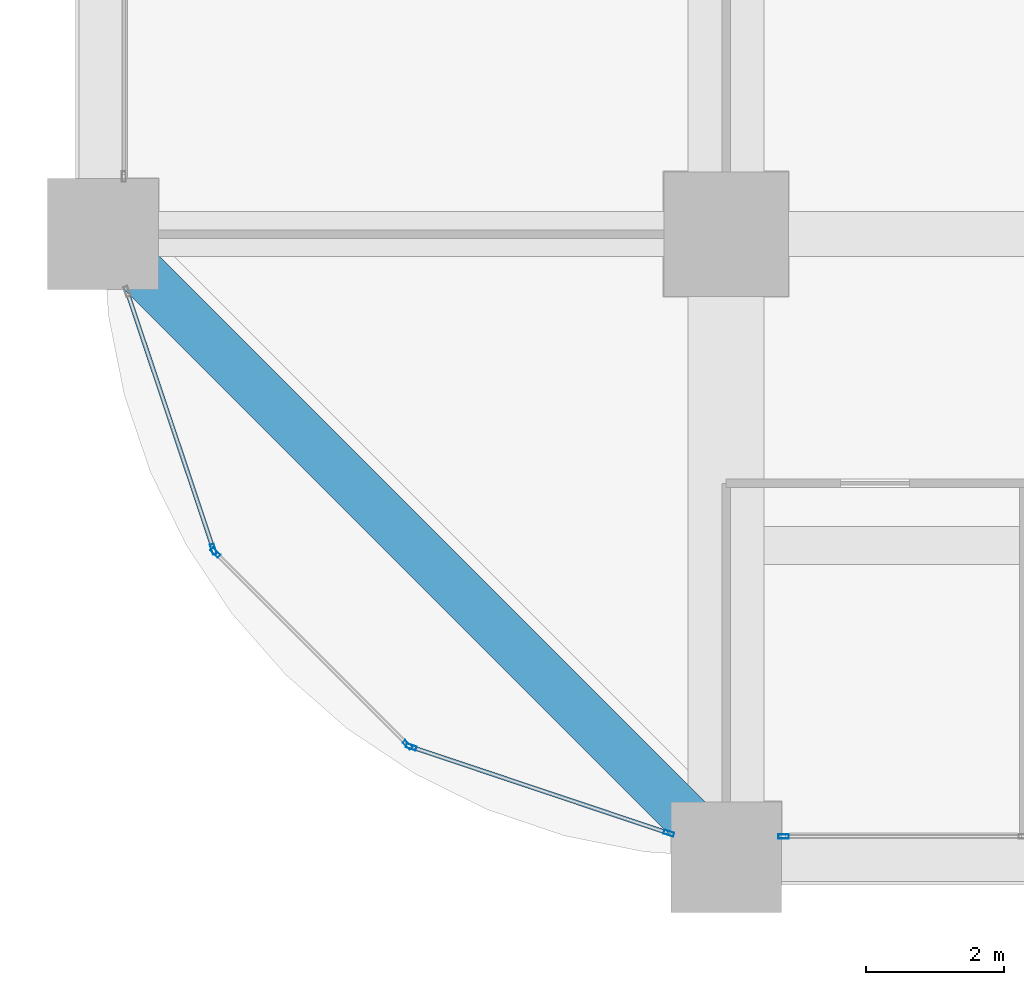
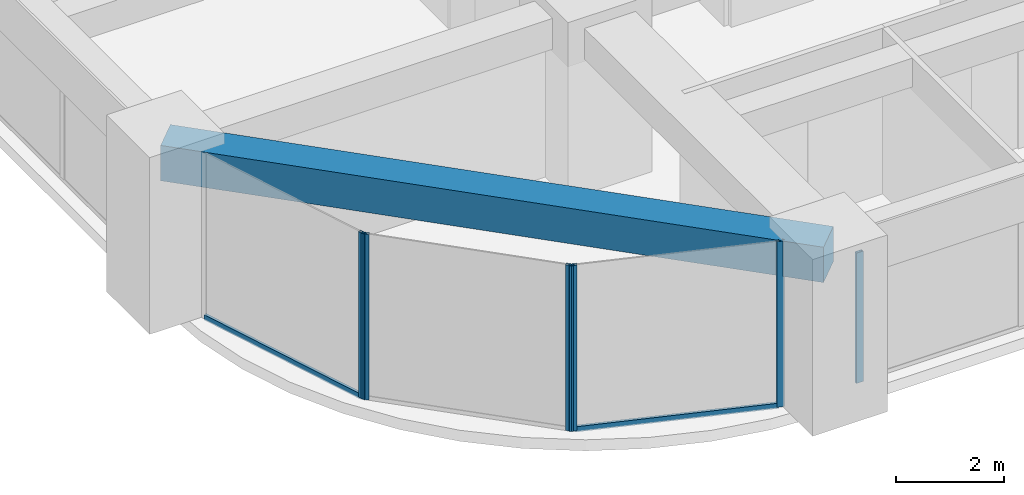
# One storey, part 2 of 40: 8 members, 1 beam, 4 elements without a shape of their own.
"""IFC4 building model written with IfcOpenShell, lengths in metres."""

import ifcopenshell
import ifcopenshell.guid

model = None  # the IFC model being written
_history = None  # IfcOwnerHistory: only IFC2X3 demands one
_inside = {}  # id of a spatial element -> (the spatial element, [elements in it])
_under = {}  # id of a project, library or spatial element -> (it, [spatial elements below it])
_declared = {}  # id of a project -> (the project, [libraries it declares])
_typed = {}  # id of a type object -> (the type object, [elements of that type])
_made_of = {}  # id of a material, layer set ... -> (it, [elements and type objects made of it])


def new_model(schema):
    """Start an empty IFC model of exactly this schema.

    Asked for "IFC4X3", IfcOpenShell would pick the latest addendum, in which some entities
    have other attributes; the version numbers below select the first issue.
    IFC2X3 requires an IfcOwnerHistory on every rooted entity: one is made here for all.
    """
    global model, _history
    if schema == "IFC4X3":
        model = ifcopenshell.file(schema_version=(4, 3, 0, 0))
    else:
        model = ifcopenshell.file(schema=schema)
    _inside.clear()
    _under.clear()
    _declared.clear()
    _typed.clear()
    _made_of.clear()
    _history = None
    if model.schema == "IFC2X3":
        org = make("IfcOrganization", Name="unknown")
        user = make(
            "IfcPersonAndOrganization",
            ThePerson=make("IfcPerson", FamilyName="unknown"),
            TheOrganization=org,
        )
        app = make(
            "IfcApplication",
            ApplicationDeveloper=org,
            Version="unknown",
            ApplicationFullName="unknown",
            ApplicationIdentifier="unknown",
        )
        _history = make(
            "IfcOwnerHistory",
            OwningUser=user,
            OwningApplication=app,
            ChangeAction="ADDED",
            CreationDate=0,
        )
    return model


def make(cls, **values):
    """One entity of the class cls with the attributes given. An attribute that is None is left unset."""
    return model.create_entity(
        cls, **{name: value for name, value in values.items() if value is not None}
    )


def rooted(cls, **values):
    """An entity with a GlobalId (a new one), such as an element, a storey or a relation."""
    return make(cls, GlobalId=ifcopenshell.guid.new(), OwnerHistory=_history, **values)


def si_unit(unit_type, name, prefix=None):
    """IfcSIUnit, for example si_unit("LENGTHUNIT", "METRE", prefix="MILLI")."""
    return make("IfcSIUnit", UnitType=unit_type, Prefix=prefix, Name=name)


def assignment(units):
    """IfcUnitAssignment: the units of a project."""
    return None if units is None else make("IfcUnitAssignment", Units=units)


def point(xyz):
    """IfcCartesianPoint."""
    return None if xyz is None else make("IfcCartesianPoint", Coordinates=xyz)


def direction(xyz):
    """IfcDirection."""
    return None if xyz is None else make("IfcDirection", DirectionRatios=xyz)


def frame(location, z_axis=None, x_axis=None):
    """IfcAxis2Placement3D, a coordinate frame: its origin and axes. An axis left out is left unset."""
    return make(
        "IfcAxis2Placement3D",
        Location=point(location),
        Axis=direction(z_axis),
        RefDirection=direction(x_axis),
    )


def frame_2d(location, x_axis=None):
    """IfcAxis2Placement2D, a coordinate frame in the plane: its origin and x axis."""
    return make(
        "IfcAxis2Placement2D", Location=point(location), RefDirection=direction(x_axis)
    )


def origin():
    """The frame at (0, 0, 0) with its axes left unset."""
    return frame((0.0, 0.0, 0.0))


def origin_2d():
    """The frame at (0, 0) in the plane with its x axis left unset."""
    return frame_2d((0.0, 0.0))


def place(relative_to, where):
    """IfcLocalPlacement: puts the frame where relative to a parent placement (None: the world)."""
    return make(
        "IfcLocalPlacement", PlacementRelTo=relative_to, RelativePlacement=where
    )


def context(
    kind, dimensions, precision=None, world=None, true_north=None, identifier=None
):
    """IfcGeometricRepresentationContext, for example the 3D "Model" context."""
    return make(
        "IfcGeometricRepresentationContext",
        ContextIdentifier=identifier,
        ContextType=kind,
        CoordinateSpaceDimension=dimensions,
        Precision=precision,
        WorldCoordinateSystem=world,
        TrueNorth=true_north,
    )


def subcontext(parent, identifier, kind, view, scale=None):
    """IfcGeometricRepresentationSubContext, for example "Body" below "Model"."""
    return make(
        "IfcGeometricRepresentationSubContext",
        ContextIdentifier=identifier,
        ContextType=kind,
        ParentContext=parent,
        TargetScale=scale,
        TargetView=view,
    )


def project(units=None, contexts=None):
    """IfcProject with its units and contexts."""
    return rooted(
        "IfcProject",
        Name="project",
        RepresentationContexts=contexts,
        UnitsInContext=assignment(units),
    )


def spatial(cls, under=None, at=None, **own):
    """A site, building, storey or space (cls), placed at a placement, below another one or the project."""
    s = rooted(cls, ObjectPlacement=at, **own)
    if under is not None:
        _under.setdefault(under.id(), (under, []))[1].append(s)
    return s


def profile(cls, at=None, kind="AREA", **sizes):
    """A parametric profile (cls). Its sizes go by their IFC names, for example OverallWidth=200.0."""
    return make(cls, ProfileType=kind, Position=at, **sizes)


def rectangle(**sizes):
    """IfcRectangleProfileDef."""
    return profile("IfcRectangleProfileDef", **sizes)


def hollow_rectangle(**sizes):
    """IfcRectangleHollowProfileDef."""
    return profile("IfcRectangleHollowProfileDef", **sizes)


def extrude(swept, where, along, depth):
    """IfcExtrudedAreaSolid: the profile swept, set in the frame where, extruded along a direction by depth."""
    return make(
        "IfcExtrudedAreaSolid",
        SweptArea=swept,
        Position=where,
        ExtrudedDirection=direction(along),
        Depth=depth,
    )


def shape(context_of_items, identifier, shape_type, items):
    """IfcShapeRepresentation: the items that make up one representation, for example the "Body"."""
    return make(
        "IfcShapeRepresentation",
        ContextOfItems=context_of_items,
        RepresentationIdentifier=identifier,
        RepresentationType=shape_type,
        Items=items,
    )


def material(Name=None, Category=None):
    """IfcMaterial."""
    return make("IfcMaterial", Name=Name, Category=Category)


def material_profile(
    of_material, cross_section, Name=None, Category=None, Priority=None
):
    """IfcMaterialProfile: a cross section and its material."""
    return make(
        "IfcMaterialProfile",
        Name=Name,
        Material=of_material,
        Profile=cross_section,
        Priority=Priority,
        Category=Category,
    )


def profile_set(profiles, Name=None, composite=None):
    """IfcMaterialProfileSet."""
    return make(
        "IfcMaterialProfileSet",
        Name=Name,
        MaterialProfiles=profiles,
        CompositeProfile=composite,
    )


def made_of(thing, what):
    """Note that an element or type object is made of a material, layer set ...; save() writes the relation."""
    if what is not None:
        _made_of.setdefault(what.id(), (what, []))[1].append(thing)
    return thing


def type_object(cls, material=None, **own):
    """A type object (cls), such as IfcWallType, which elements share."""
    return made_of(rooted(cls, **own), material)


def element(
    cls,
    number,
    at=None,
    inside=None,
    cuts=None,
    type_object=None,
    material=None,
    context=None,
    identifier="Body",
    shape_type=None,
    held_by="IfcProductDefinitionShape",
    body=None,
    shapes=None,
    **own,
):
    """One element of the class cls, such as IfcWall. Its Tag is "e" and its number.

    at: its placement. inside: the storey or other place that contains it. cuts: it is an
    opening in that element (IfcRelVoidsElement). A single representation is given by context,
    identifier, shape_type and body (its items); several are given by shapes. held_by: the class
    of the entity that holds the representations. save() writes the other relations.
    """
    e = rooted(cls, Tag="e%d" % number, ObjectPlacement=at, **own)
    if body is not None:
        shapes = [shape(context, identifier, shape_type, body)]
    if shapes is not None:
        e.Representation = make(held_by, Representations=shapes)
    if inside is not None:
        _inside.setdefault(inside.id(), (inside, []))[1].append(e)
    if cuts is not None:
        rooted(
            "IfcRelVoidsElement", RelatingBuildingElement=cuts, RelatedOpeningElement=e
        )
    if type_object is not None:
        _typed.setdefault(type_object.id(), (type_object, []))[1].append(e)
    return made_of(e, material)


def aggregate(whole, parts):
    """IfcRelAggregates: a whole, such as a stair, and the parts it consists of."""
    return rooted("IfcRelAggregates", RelatingObject=whole, RelatedObjects=parts)


def save(model, path):
    """Write the relations noted so far, then the file.

    IfcRelAggregates (storeys below a building ...), IfcRelContainedInSpatialStructure (elements
    in a storey), IfcRelDefinesByType, IfcRelAssociatesMaterial and IfcRelDeclares: one each for
    every whole, place, type object, material and project.
    """
    for whole, parts in _under.values():
        aggregate(whole, parts)
    for where, things in _inside.values():
        rooted(
            "IfcRelContainedInSpatialStructure",
            RelatedElements=things,
            RelatingStructure=where,
        )
    for kind, things in _typed.values():
        rooted("IfcRelDefinesByType", RelatedObjects=things, RelatingType=kind)
    for what, things in _made_of.values():
        rooted("IfcRelAssociatesMaterial", RelatedObjects=things, RelatingMaterial=what)
    for by, libraries in _declared.values():
        rooted("IfcRelDeclares", RelatingContext=by, RelatedDefinitions=libraries)
    model.write(path)


model = new_model("IFC4")

# Units and contexts
model_context = context("Model", 3, precision=1e-05, world=origin(), true_north=direction((0.0, 1.0)))
body_context = subcontext(model_context, "Body", "Model", "MODEL_VIEW")
ifc_project = project(units=[si_unit("LENGTHUNIT", "METRE"), si_unit("AREAUNIT", "SQUARE_METRE"), si_unit("VOLUMEUNIT", "CUBIC_METRE"), si_unit("PLANEANGLEUNIT", "RADIAN"), si_unit("MASSUNIT", "GRAM", prefix="KILO")], contexts=[model_context])

# Site, building, storey
site_placement = place(None, origin())
site = spatial("IfcSite", under=ifc_project, at=site_placement, CompositionType="ELEMENT")
building_placement = place(site_placement, origin())
building = spatial("IfcBuilding", under=site, at=building_placement, Name="Zorevar Civic Tower", CompositionType="ELEMENT")
storey_placement = place(building_placement, frame((0.0, 0.0, 129.0)))
storey = spatial("IfcBuildingStorey", under=building, at=storey_placement, Name="L31", CompositionType="ELEMENT", Elevation=129.0)

# Curtain wall, member
ifc_material_1 = material(Name="Dark grey solar-control glass in black aluminium frame", Category="aluminium")
curtain_wall_type = type_object("IfcCurtainWallType", Name="Curtain wall CW3 mid zone", PredefinedType="NOTDEFINED", material=ifc_material_1)
curtain_wall_1_placement = place(storey_placement, origin())
curtain_wall_1 = element("IfcCurtainWall", 1, at=curtain_wall_1_placement, inside=storey, type_object=curtain_wall_type, Name="CW3 L31", PredefinedType="NOTDEFINED")
ifc_material_2 = material(Name="Aluminium, black anodised", Category="aluminium")
ifc_material_profile_1 = material_profile(ifc_material_2, hollow_rectangle(XDim=0.06005859375, YDim=0.14990234375, WallThickness=0.00390625, at=origin_2d()), Name="AL 150x60x4")
ifc_profile_set_1 = profile_set([ifc_material_profile_1], Name="Aluminium, black anodised")
member_type_1 = type_object("IfcMemberType", Name="CW3 mullion AL 150x60x4", PredefinedType="MULLION", material=ifc_profile_set_1)
member_1_placement = place(storey_placement, frame((9.830078125, 0.300048828125, 0.0), z_axis=(0.0, 0.0, 1.0), x_axis=(0.0, 1.0, 0.0)))
member_1 = element("IfcMember", 2, at=member_1_placement, type_object=member_type_1, Name="CW3 mullion 1", PredefinedType="MULLION", context=body_context, shape_type="SweptSolid", body=[
    extrude(hollow_rectangle(XDim=0.06005859375, YDim=0.14990234375, WallThickness=0.00390625, at=origin_2d()), origin(), (0.0, 0.0, 1.0), 2.949951171875),
])
aggregate(curtain_wall_1, [member_1])

curtain_wall_2_placement = place(storey_placement, origin())
curtain_wall_2 = element("IfcCurtainWall", 3, at=curtain_wall_2_placement, inside=storey, type_object=curtain_wall_type, Name="CW3 L31", PredefinedType="NOTDEFINED")
member_2_placement = place(storey_placement, frame((1.59326171875, 4.44921875, 0.0), z_axis=(0.0, 0.0, 1.0), x_axis=(0.948227238701, 0.317592669603, 0.0)))
member_2 = element("IfcMember", 4, at=member_2_placement, type_object=member_type_1, Name="CW3 mullion 2", PredefinedType="MULLION", context=body_context, shape_type="SweptSolid", body=[
    extrude(hollow_rectangle(XDim=0.06005859375, YDim=0.14990234375, WallThickness=0.00390625, at=origin_2d()), origin(), (0.0, 0.0, 1.0), 3.75),
])

# Curtain wall, members
curtain_wall_3_placement = place(storey_placement, origin())
curtain_wall_3 = element("IfcCurtainWall", 5, at=curtain_wall_3_placement, inside=storey, type_object=curtain_wall_type, Name="CW3 L31", PredefinedType="NOTDEFINED")
member_3_placement = place(storey_placement, frame((1.6240234375, 4.399658203125, 0.0), z_axis=(0.0, 0.0, 1.0), x_axis=(0.707106781187, 0.707106781187, 0.0)))
member_3 = element("IfcMember", 6, at=member_3_placement, type_object=member_type_1, Name="CW3 mullion 1", PredefinedType="MULLION", context=body_context, shape_type="SweptSolid", body=[
    extrude(hollow_rectangle(XDim=0.06005859375, YDim=0.14990234375, WallThickness=0.00390625, at=origin_2d()), origin(), (0.0, 0.0, 1.0), 3.75),
])
member_4_placement = place(storey_placement, frame((4.399658203125, 1.6240234375, 0.0), z_axis=(0.0, 0.0, 1.0), x_axis=(0.707106781187, 0.707106781187, 0.0)))
member_4 = element("IfcMember", 7, at=member_4_placement, type_object=member_type_1, Name="CW3 mullion 2", PredefinedType="MULLION", context=body_context, shape_type="SweptSolid", body=[
    extrude(hollow_rectangle(XDim=0.06005859375, YDim=0.14990234375, WallThickness=0.00390625, at=origin_2d()), origin(), (0.0, 0.0, 1.0), 3.75),
])
aggregate(curtain_wall_3, [member_3, member_4])

curtain_wall_4_placement = place(storey_placement, origin())
curtain_wall_4 = element("IfcCurtainWall", 8, at=curtain_wall_4_placement, inside=storey, type_object=curtain_wall_type, Name="CW3 L31", PredefinedType="NOTDEFINED")
member_5_placement = place(storey_placement, frame((4.44921875, 1.59326171875, 0.0), z_axis=(0.0, 0.0, 1.0), x_axis=(0.317592669603, 0.948227238701, 0.0)))
member_5 = element("IfcMember", 9, at=member_5_placement, type_object=member_type_1, Name="CW3 mullion 1", PredefinedType="MULLION", context=body_context, shape_type="SweptSolid", body=[
    extrude(hollow_rectangle(XDim=0.06005859375, YDim=0.14990234375, WallThickness=0.00390625, at=origin_2d()), origin(), (0.0, 0.0, 1.0), 3.75),
])
member_6_placement = place(storey_placement, frame((8.171630859375, 0.346435546875, 0.0), z_axis=(0.0, 0.0, 1.0), x_axis=(0.317592669603, 0.948227238701, 0.0)))
member_6 = element("IfcMember", 10, at=member_6_placement, type_object=member_type_1, Name="CW3 mullion 2", PredefinedType="MULLION", context=body_context, shape_type="SweptSolid", body=[
    extrude(hollow_rectangle(XDim=0.06005859375, YDim=0.14990234375, WallThickness=0.00390625, at=origin_2d()), origin(), (0.0, 0.0, 1.0), 3.75),
])

# Member
ifc_material_3 = material(Name="Aluminium, black anodised", Category="aluminium")
ifc_material_profile_2 = material_profile(ifc_material_3, hollow_rectangle(XDim=0.06005859375, YDim=0.1201171875, WallThickness=0.0029296875, at=origin_2d()), Name="AL 120x60x3")
ifc_profile_set_2 = profile_set([ifc_material_profile_2], Name="Aluminium, black anodised")
member_type_2 = type_object("IfcMemberType", Name="CW3 transom AL 120x60x3", PredefinedType="USERDEFINED", material=ifc_profile_set_2)
member_7_placement = place(storey_placement, frame((0.35595703125, 8.14306640625, 0.030029296875), z_axis=(0.317629563458, -0.94821488093, 0.0), x_axis=(0.94821488093, 0.317629563458, 0.0)))
member_7 = element("IfcMember", 11, at=member_7_placement, type_object=member_type_2, Name="CW3 sill transom", ObjectType="TRANSOM", PredefinedType="USERDEFINED", context=body_context, shape_type="SweptSolid", body=[
    extrude(hollow_rectangle(XDim=0.06005859375, YDim=0.1201171875, WallThickness=0.0029296875, at=origin_2d()), origin(), (0.0, 0.0, 1.0), 3.865478515625),
])

aggregate(curtain_wall_2, [member_2, member_7])

member_8_placement = place(storey_placement, frame((4.477783203125, 1.583740234375, 0.030029296875), z_axis=(0.94821488093, -0.317629563458, 0.0), x_axis=(0.317629563458, 0.94821488093, 0.0)))
member_8 = element("IfcMember", 12, at=member_8_placement, type_object=member_type_2, Name="CW3 sill transom", ObjectType="TRANSOM", PredefinedType="USERDEFINED", context=body_context, shape_type="SweptSolid", body=[
    extrude(hollow_rectangle(XDim=0.06005859375, YDim=0.1201171875, WallThickness=0.0029296875, at=origin_2d()), origin(), (0.0, 0.0, 1.0), 3.865478515625),
])

aggregate(curtain_wall_4, [member_5, member_6, member_8])

# Beam
ifc_material_4 = material(Name="Concrete C50/60", Category="concrete")
ifc_material_profile_3 = material_profile(ifc_material_4, rectangle(XDim=0.699951171875, YDim=0.800048828125, at=origin_2d()), Name="RC 700x800")
ifc_profile_set_3 = profile_set([ifc_material_profile_3], Name="Concrete C50/60")
beam_type = type_object("IfcBeamType", Name="Edge beam RC 700x800", PredefinedType="SPANDREL", material=ifc_profile_set_3)
beam_placement = place(storey_placement, frame((0.0, 9.0, 3.35009765625), z_axis=(0.707106781187, -0.707106781187, 0.0), x_axis=(0.707106781187, 0.707106781187, 0.0)))
element("IfcBeam", 13, at=beam_placement, inside=storey, type_object=beam_type, Name="Corner edge beam L32", PredefinedType="SPANDREL", context=body_context, shape_type="SweptSolid", body=[
    extrude(rectangle(XDim=0.699951171875, YDim=0.800048828125, at=origin_2d()), origin(), (0.0, 0.0, 1.0), 12.72802734375),
])

save(model, "model.ifc")
